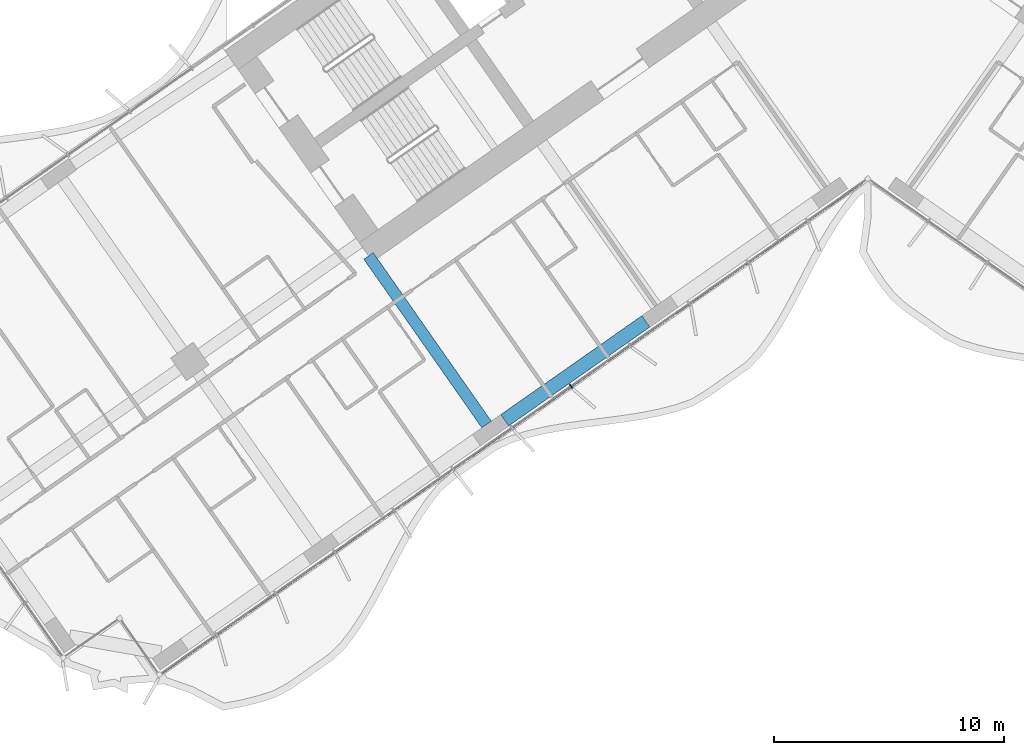
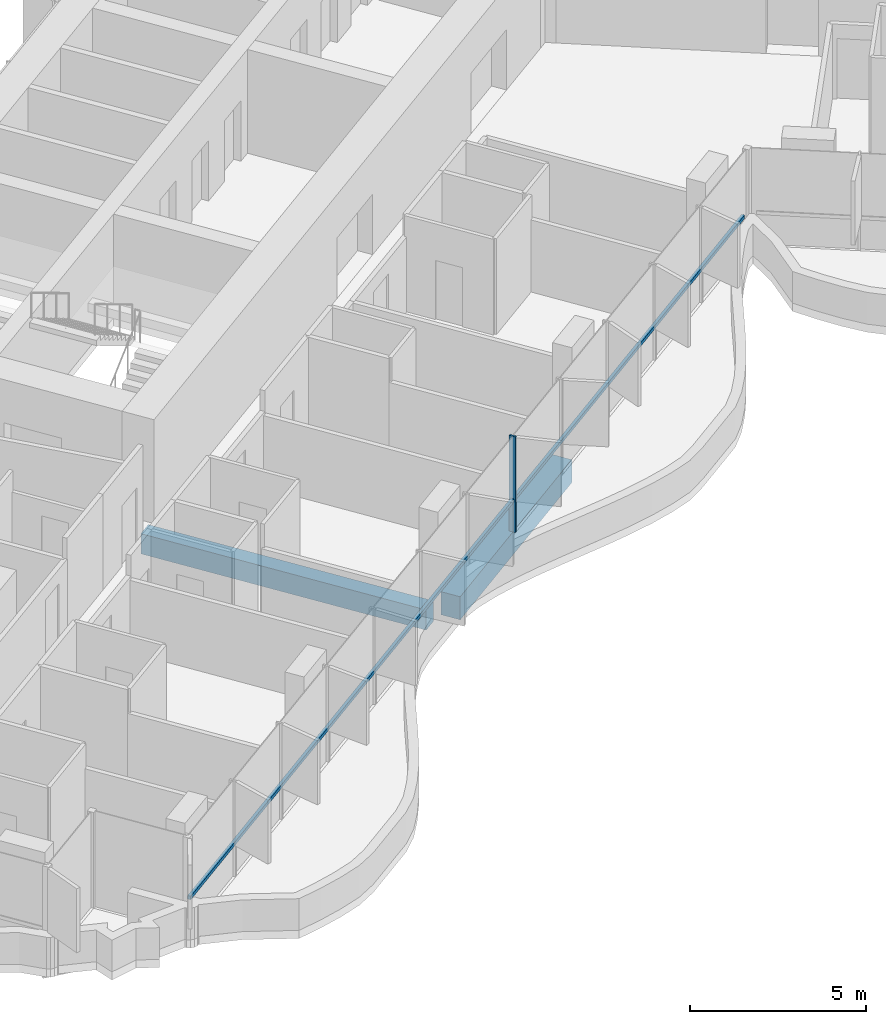
# One storey, part 3 of 25: 2 beams, 2 members, 1 element without a shape of its own.
"""IFC4 building model written with IfcOpenShell, lengths in metres."""

from ifc_helpers import new_model, si_unit, direction, frame, origin, origin_2d, place, context, subcontext, project, spatial, rectangle, extrude, material, material_profile, profile_set, type_object, element, aggregate, save


model = new_model("IFC4")

# Units and contexts
model_context = context("Model", 3, precision=1e-05, world=origin(), true_north=direction((0.0, 1.0)))
body_context = subcontext(model_context, "Body", "Model", "MODEL_VIEW")
ifc_project = project(units=[si_unit("LENGTHUNIT", "METRE"), si_unit("AREAUNIT", "SQUARE_METRE"), si_unit("VOLUMEUNIT", "CUBIC_METRE"), si_unit("PLANEANGLEUNIT", "RADIAN"), si_unit("MASSUNIT", "GRAM", prefix="KILO")], contexts=[model_context])

# Site, building, storey
site_placement = place(None, origin())
site = spatial("IfcSite", under=ifc_project, at=site_placement, CompositionType="ELEMENT")
building_placement = place(site_placement, origin())
building = spatial("IfcBuilding", under=site, at=building_placement, Name="Tel Ilan Convention Tower", CompositionType="ELEMENT")
storey_placement = place(building_placement, frame((0.0, 0.0, 58.10009765625)))
storey = spatial("IfcBuildingStorey", under=building, at=storey_placement, Name="L09", CompositionType="ELEMENT", Elevation=58.10009765625)

# Beams
ifc_material_1 = material(Name="Concrete C40/50", Category="concrete")
ifc_material_profile_1 = material_profile(ifc_material_1, rectangle(XDim=0.5, YDim=0.699951171875, at=origin_2d()), Name="RC 500x700")
ifc_profile_set_1 = profile_set([ifc_material_profile_1], Name="Concrete C40/50")
beam_type_1 = type_object("IfcBeamType", Name="Beam RC 500x700 Concrete C40/50", PredefinedType="BEAM", material=ifc_profile_set_1)
beam_1_placement = place(storey_placement, frame((-16.58203125, -23.391357421875, -0.630126953125), z_axis=(-0.573584999642, 0.819146048141, 0.0), x_axis=(-0.819146048141, -0.573584999642, 0.0)))
element("IfcBeam", 1, at=beam_1_placement, inside=storey, type_object=beam_type_1, Name="L09 beam W-W-F3-core", PredefinedType="BEAM", context=body_context, shape_type="SweptSolid", body=[
    extrude(rectangle(XDim=0.5, YDim=0.699951171875, at=origin_2d()), origin(), (0.0, 0.0, 1.0), 8.949951171875),
])
ifc_material_2 = material(Name="Concrete C40/50", Category="concrete")
ifc_material_profile_2 = material_profile(ifc_material_2, rectangle(XDim=0.60009765625, YDim=0.800048828125, at=origin_2d()), Name="RC 600x800")
ifc_profile_set_2 = profile_set([ifc_material_profile_2], Name="Concrete C40/50")
beam_type_2 = type_object("IfcBeamType", Name="Beam RC 600x800 Concrete C40/50", PredefinedType="BEAM", material=ifc_profile_set_2)
beam_2_placement = place(storey_placement, frame((-9.652099609375, -18.905029296875, -0.68017578125), z_axis=(-0.81915238829, -0.573575945067, 0.0), x_axis=(0.573575945067, -0.81915238829, 0.0)))
element("IfcBeam", 2, at=beam_2_placement, inside=storey, type_object=beam_type_2, Name="L09 beam W-W-F2-W-F3", PredefinedType="BEAM", context=body_context, shape_type="SweptSolid", body=[
    extrude(rectangle(XDim=0.60009765625, YDim=0.800048828125, at=origin_2d()), origin(), (0.0, 0.0, 1.0), 7.5),
])

# Curtain wall, members
ifc_material_3 = material(Name="Aluminium, bronze anodised", Category="aluminium")
curtain_wall_type = type_object("IfcCurtainWallType", Name="CW1 UNITISED CURTAIN WALL, HOTEL TINTED GLASS", PredefinedType="NOTDEFINED", material=ifc_material_3)
curtain_wall_placement = place(storey_placement, origin())
curtain_wall = element("IfcCurtainWall", 3, at=curtain_wall_placement, inside=storey, type_object=curtain_wall_type, Name="Curtain wall CW1-11.02", PredefinedType="NOTDEFINED")
ifc_material_4 = material(Name="Aluminium, bronze anodised", Category="aluminium")
ifc_material_profile_3 = material_profile(ifc_material_4, rectangle(XDim=0.06005859375, YDim=0.199951171875, at=origin_2d()), Name="CW MULLION 60x200")
ifc_profile_set_3 = profile_set([ifc_material_profile_3], Name="Aluminium, bronze anodised")
member_type_1 = type_object("IfcMemberType", Name="CW MULLION 60x200", PredefinedType="MULLION", material=ifc_profile_set_3)
member_1_placement = place(storey_placement, frame((-12.906982421875, -21.733642578125, 0.0), z_axis=(0.0, 0.0, 1.0), x_axis=(0.819152044289, 0.573576436351, 0.0)))
member_1 = element("IfcMember", 4, at=member_1_placement, type_object=member_type_1, Name="Mullion", PredefinedType="MULLION", context=body_context, shape_type="SweptSolid", body=[
    extrude(rectangle(XDim=0.06005859375, YDim=0.199951171875, at=origin_2d()), origin(), (0.0, 0.0, 1.0), 3.31982421875),
])
ifc_material_5 = material(Name="Aluminium, bronze anodised", Category="aluminium")
ifc_material_profile_4 = material_profile(ifc_material_5, rectangle(XDim=0.10009765625, YDim=0.1201171875, at=origin_2d()), Name="CW TRANSOM 100x120")
ifc_profile_set_4 = profile_set([ifc_material_profile_4], Name="Aluminium, bronze anodised")
member_type_2 = type_object("IfcMemberType", Name="CW TRANSOM 100x120", PredefinedType="USERDEFINED", material=ifc_profile_set_4)
member_2_placement = place(storey_placement, frame((-30.73291015625, -34.21533203125, 1.099853515625), z_axis=(0.819152467103, 0.57357583251, 0.0), x_axis=(-0.57357583251, 0.819152467103, 0.0)))
member_2 = element("IfcMember", 5, at=member_2_placement, type_object=member_type_2, Name="Transom", ObjectType="TRANSOM", PredefinedType="USERDEFINED", context=body_context, shape_type="SweptSolid", body=[
    extrude(rectangle(XDim=0.10009765625, YDim=0.1201171875, at=origin_2d()), origin(), (0.0, 0.0, 1.0), 37.247802734375),
])
aggregate(curtain_wall, [member_1, member_2])

save(model, "model.ifc")
